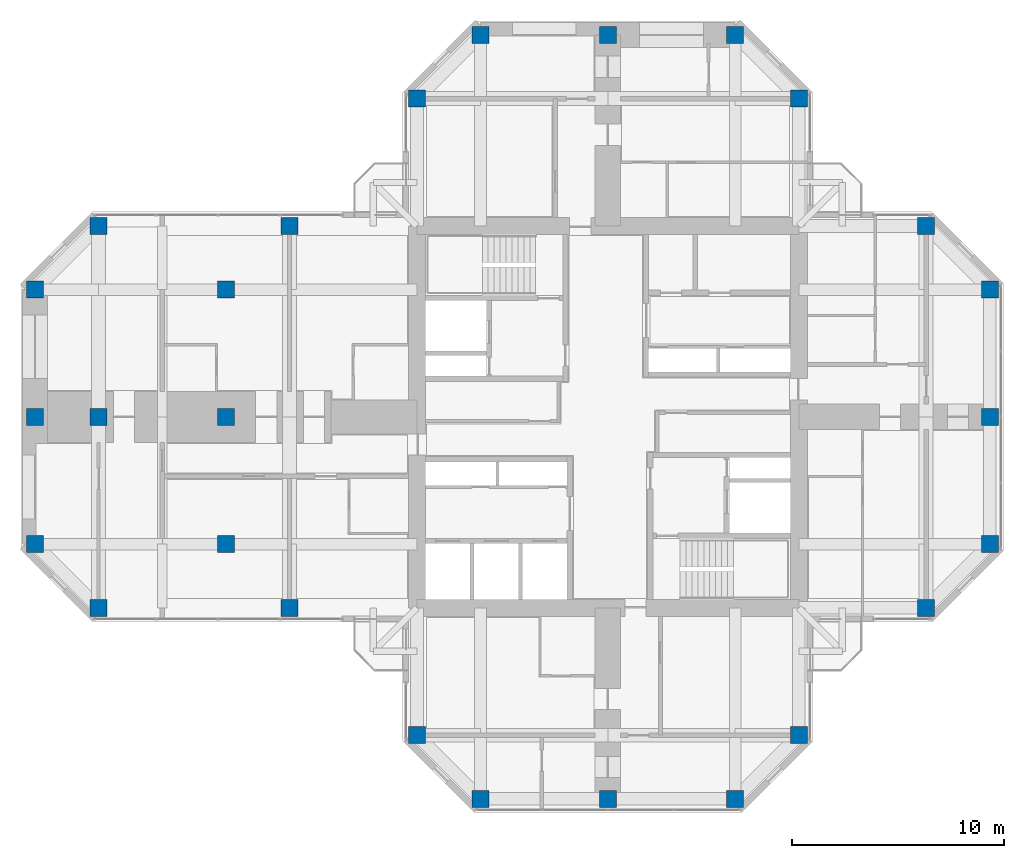
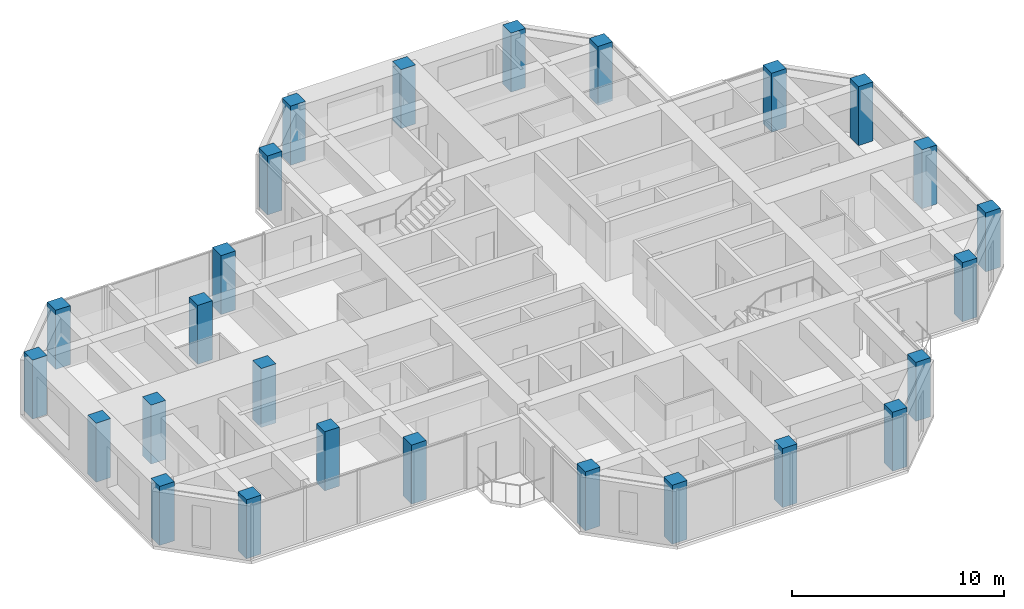
# One storey, part 1 of 13: 26 columns.
"""IFC4 building model written with IfcOpenShell, lengths in metres."""

import ifcopenshell
import ifcopenshell.guid

model = None  # the IFC model being written
_history = None  # IfcOwnerHistory: only IFC2X3 demands one
_inside = {}  # id of a spatial element -> (the spatial element, [elements in it])
_under = {}  # id of a project, library or spatial element -> (it, [spatial elements below it])
_declared = {}  # id of a project -> (the project, [libraries it declares])
_typed = {}  # id of a type object -> (the type object, [elements of that type])
_made_of = {}  # id of a material, layer set ... -> (it, [elements and type objects made of it])


def new_model(schema):
    """Start an empty IFC model of exactly this schema.

    Asked for "IFC4X3", IfcOpenShell would pick the latest addendum, in which some entities
    have other attributes; the version numbers below select the first issue.
    IFC2X3 requires an IfcOwnerHistory on every rooted entity: one is made here for all.
    """
    global model, _history
    if schema == "IFC4X3":
        model = ifcopenshell.file(schema_version=(4, 3, 0, 0))
    else:
        model = ifcopenshell.file(schema=schema)
    _inside.clear()
    _under.clear()
    _declared.clear()
    _typed.clear()
    _made_of.clear()
    _history = None
    if model.schema == "IFC2X3":
        org = make("IfcOrganization", Name="unknown")
        user = make(
            "IfcPersonAndOrganization",
            ThePerson=make("IfcPerson", FamilyName="unknown"),
            TheOrganization=org,
        )
        app = make(
            "IfcApplication",
            ApplicationDeveloper=org,
            Version="unknown",
            ApplicationFullName="unknown",
            ApplicationIdentifier="unknown",
        )
        _history = make(
            "IfcOwnerHistory",
            OwningUser=user,
            OwningApplication=app,
            ChangeAction="ADDED",
            CreationDate=0,
        )
    return model


def make(cls, **values):
    """One entity of the class cls with the attributes given. An attribute that is None is left unset."""
    return model.create_entity(
        cls, **{name: value for name, value in values.items() if value is not None}
    )


def rooted(cls, **values):
    """An entity with a GlobalId (a new one), such as an element, a storey or a relation."""
    return make(cls, GlobalId=ifcopenshell.guid.new(), OwnerHistory=_history, **values)


def si_unit(unit_type, name, prefix=None):
    """IfcSIUnit, for example si_unit("LENGTHUNIT", "METRE", prefix="MILLI")."""
    return make("IfcSIUnit", UnitType=unit_type, Prefix=prefix, Name=name)


def assignment(units):
    """IfcUnitAssignment: the units of a project."""
    return None if units is None else make("IfcUnitAssignment", Units=units)


def point(xyz):
    """IfcCartesianPoint."""
    return None if xyz is None else make("IfcCartesianPoint", Coordinates=xyz)


def direction(xyz):
    """IfcDirection."""
    return None if xyz is None else make("IfcDirection", DirectionRatios=xyz)


def frame(location, z_axis=None, x_axis=None):
    """IfcAxis2Placement3D, a coordinate frame: its origin and axes. An axis left out is left unset."""
    return make(
        "IfcAxis2Placement3D",
        Location=point(location),
        Axis=direction(z_axis),
        RefDirection=direction(x_axis),
    )


def frame_2d(location, x_axis=None):
    """IfcAxis2Placement2D, a coordinate frame in the plane: its origin and x axis."""
    return make(
        "IfcAxis2Placement2D", Location=point(location), RefDirection=direction(x_axis)
    )


def origin():
    """The frame at (0, 0, 0) with its axes left unset."""
    return frame((0.0, 0.0, 0.0))


def origin_2d():
    """The frame at (0, 0) in the plane with its x axis left unset."""
    return frame_2d((0.0, 0.0))


def place(relative_to, where):
    """IfcLocalPlacement: puts the frame where relative to a parent placement (None: the world)."""
    return make(
        "IfcLocalPlacement", PlacementRelTo=relative_to, RelativePlacement=where
    )


def context(
    kind, dimensions, precision=None, world=None, true_north=None, identifier=None
):
    """IfcGeometricRepresentationContext, for example the 3D "Model" context."""
    return make(
        "IfcGeometricRepresentationContext",
        ContextIdentifier=identifier,
        ContextType=kind,
        CoordinateSpaceDimension=dimensions,
        Precision=precision,
        WorldCoordinateSystem=world,
        TrueNorth=true_north,
    )


def subcontext(parent, identifier, kind, view, scale=None):
    """IfcGeometricRepresentationSubContext, for example "Body" below "Model"."""
    return make(
        "IfcGeometricRepresentationSubContext",
        ContextIdentifier=identifier,
        ContextType=kind,
        ParentContext=parent,
        TargetScale=scale,
        TargetView=view,
    )


def project(units=None, contexts=None):
    """IfcProject with its units and contexts."""
    return rooted(
        "IfcProject",
        Name="project",
        RepresentationContexts=contexts,
        UnitsInContext=assignment(units),
    )


def spatial(cls, under=None, at=None, **own):
    """A site, building, storey or space (cls), placed at a placement, below another one or the project."""
    s = rooted(cls, ObjectPlacement=at, **own)
    if under is not None:
        _under.setdefault(under.id(), (under, []))[1].append(s)
    return s


def profile(cls, at=None, kind="AREA", **sizes):
    """A parametric profile (cls). Its sizes go by their IFC names, for example OverallWidth=200.0."""
    return make(cls, ProfileType=kind, Position=at, **sizes)


def rectangle(**sizes):
    """IfcRectangleProfileDef."""
    return profile("IfcRectangleProfileDef", **sizes)


def extrude(swept, where, along, depth):
    """IfcExtrudedAreaSolid: the profile swept, set in the frame where, extruded along a direction by depth."""
    return make(
        "IfcExtrudedAreaSolid",
        SweptArea=swept,
        Position=where,
        ExtrudedDirection=direction(along),
        Depth=depth,
    )


def shape(context_of_items, identifier, shape_type, items):
    """IfcShapeRepresentation: the items that make up one representation, for example the "Body"."""
    return make(
        "IfcShapeRepresentation",
        ContextOfItems=context_of_items,
        RepresentationIdentifier=identifier,
        RepresentationType=shape_type,
        Items=items,
    )


def material(Name=None, Category=None):
    """IfcMaterial."""
    return make("IfcMaterial", Name=Name, Category=Category)


def material_profile(
    of_material, cross_section, Name=None, Category=None, Priority=None
):
    """IfcMaterialProfile: a cross section and its material."""
    return make(
        "IfcMaterialProfile",
        Name=Name,
        Material=of_material,
        Profile=cross_section,
        Priority=Priority,
        Category=Category,
    )


def profile_set(profiles, Name=None, composite=None):
    """IfcMaterialProfileSet."""
    return make(
        "IfcMaterialProfileSet",
        Name=Name,
        MaterialProfiles=profiles,
        CompositeProfile=composite,
    )


def made_of(thing, what):
    """Note that an element or type object is made of a material, layer set ...; save() writes the relation."""
    if what is not None:
        _made_of.setdefault(what.id(), (what, []))[1].append(thing)
    return thing


def type_object(cls, material=None, **own):
    """A type object (cls), such as IfcWallType, which elements share."""
    return made_of(rooted(cls, **own), material)


def element(
    cls,
    number,
    at=None,
    inside=None,
    cuts=None,
    type_object=None,
    material=None,
    context=None,
    identifier="Body",
    shape_type=None,
    held_by="IfcProductDefinitionShape",
    body=None,
    shapes=None,
    **own,
):
    """One element of the class cls, such as IfcWall. Its Tag is "e" and its number.

    at: its placement. inside: the storey or other place that contains it. cuts: it is an
    opening in that element (IfcRelVoidsElement). A single representation is given by context,
    identifier, shape_type and body (its items); several are given by shapes. held_by: the class
    of the entity that holds the representations. save() writes the other relations.
    """
    e = rooted(cls, Tag="e%d" % number, ObjectPlacement=at, **own)
    if body is not None:
        shapes = [shape(context, identifier, shape_type, body)]
    if shapes is not None:
        e.Representation = make(held_by, Representations=shapes)
    if inside is not None:
        _inside.setdefault(inside.id(), (inside, []))[1].append(e)
    if cuts is not None:
        rooted(
            "IfcRelVoidsElement", RelatingBuildingElement=cuts, RelatedOpeningElement=e
        )
    if type_object is not None:
        _typed.setdefault(type_object.id(), (type_object, []))[1].append(e)
    return made_of(e, material)


def aggregate(whole, parts):
    """IfcRelAggregates: a whole, such as a stair, and the parts it consists of."""
    return rooted("IfcRelAggregates", RelatingObject=whole, RelatedObjects=parts)


def save(model, path):
    """Write the relations noted so far, then the file.

    IfcRelAggregates (storeys below a building ...), IfcRelContainedInSpatialStructure (elements
    in a storey), IfcRelDefinesByType, IfcRelAssociatesMaterial and IfcRelDeclares: one each for
    every whole, place, type object, material and project.
    """
    for whole, parts in _under.values():
        aggregate(whole, parts)
    for where, things in _inside.values():
        rooted(
            "IfcRelContainedInSpatialStructure",
            RelatedElements=things,
            RelatingStructure=where,
        )
    for kind, things in _typed.values():
        rooted("IfcRelDefinesByType", RelatedObjects=things, RelatingType=kind)
    for what, things in _made_of.values():
        rooted("IfcRelAssociatesMaterial", RelatedObjects=things, RelatingMaterial=what)
    for by, libraries in _declared.values():
        rooted("IfcRelDeclares", RelatingContext=by, RelatedDefinitions=libraries)
    model.write(path)


model = new_model("IFC4")

# Units and contexts
model_context = context("Model", 3, precision=1e-05, world=origin(), true_north=direction((0.0, 1.0)))
body_context = subcontext(model_context, "Body", "Model", "MODEL_VIEW")
ifc_project = project(units=[si_unit("LENGTHUNIT", "METRE"), si_unit("AREAUNIT", "SQUARE_METRE"), si_unit("VOLUMEUNIT", "CUBIC_METRE"), si_unit("PLANEANGLEUNIT", "RADIAN"), si_unit("MASSUNIT", "GRAM", prefix="KILO")], contexts=[model_context])

# Site, building, storey
site_placement = place(None, origin())
site = spatial("IfcSite", under=ifc_project, at=site_placement, CompositionType="ELEMENT")
building_placement = place(site_placement, origin())
building = spatial("IfcBuilding", under=site, at=building_placement, Name="Torre Cruceta", CompositionType="ELEMENT")
storey_placement = place(building_placement, frame((0.0, 0.0, 249.300048828125)))
storey = spatial("IfcBuildingStorey", under=building, at=storey_placement, Name="L64", CompositionType="ELEMENT", Elevation=249.300048828125)

# Columns
ifc_material = material(Name="Concrete G60 (fck 60 MPa)", Category="concrete")
ifc_material_profile = material_profile(ifc_material, rectangle(XDim=0.800048828125, YDim=0.800048828125, at=origin_2d()), Name="RC 800X800")
ifc_profile_set = profile_set([ifc_material_profile], Name="Concrete G60 (fck 60 MPa)")
column_type = type_object("IfcColumnType", Name="COLUMN RC 800X800", PredefinedType="COLUMN", material=ifc_profile_set)
for number, where, z_axis, x_axis, name in (
    (1, (9.0, 15.0, 0.0), (0.0, 0.0, 1.0), (1.0, 0.0, 0.0), "C7 L64 N chamfer"),
    (2, (-9.0, 15.0, 0.0), (0.0, 0.0, 1.0), (1.0, 0.0, 0.0), "C7 L64 N chamfer"),
    (3, (6.0, 18.0, 0.0), (0.0, 0.0, 1.0), (1.0, 0.0, 0.0), "C7 L64 N tip"),
    (4, (0.0, 18.0, 0.0), (0.0, 0.0, 1.0), (1.0, 0.0, 0.0), "C7 L64 N tip"),
    (5, (-6.0, 18.0, 0.0), (0.0, 0.0, 1.0), (1.0, 0.0, 0.0), "C7 L64 N tip"),
    (6, (15.0, -9.0, 0.0), (0.0, 0.0, 1.0), (1.0, 0.0, 0.0), "C7 L64 E chamfer"),
    (7, (15.0, 9.0, 0.0), (0.0, 0.0, 1.0), (1.0, 0.0, 0.0), "C7 L64 E chamfer"),
    (8, (18.0, -6.0, 0.0), (0.0, 0.0, 1.0), (1.0, 0.0, 0.0), "C7 L64 E tip"),
    (9, (18.0, 0.0, 0.0), (0.0, 0.0, 1.0), (1.0, 0.0, 0.0), "C7 L64 E tip"),
    (10, (18.0, 6.0, 0.0), (0.0, 0.0, 1.0), (1.0, 0.0, 0.0), "C7 L64 E tip"),
    (11, (-9.0, -15.0, 0.0), (0.0, 0.0, 1.0), (1.0, 0.0, 0.0), "C7 L64 S chamfer"),
    (12, (9.0, -15.0, 0.0), (0.0, 0.0, 1.0), (1.0, 0.0, 0.0), "C7 L64 S chamfer"),
    (13, (-6.0, -18.0, 0.0), (0.0, 0.0, 1.0), (1.0, 0.0, 0.0), "C7 L64 S tip"),
    (14, (0.0, -18.0, 0.0), (0.0, 0.0, 1.0), (1.0, 0.0, 0.0), "C7 L64 S tip"),
    (15, (6.0, -18.0, 0.0), (0.0, 0.0, 1.0), (1.0, 0.0, 0.0), "C7 L64 S tip"),
    (16, (-15.0, 9.0, 0.0), (0.0, 0.0, 1.0), (1.0, 0.0, 0.0), "C7 L64 W side"),
    (17, (-24.0, 9.0, 0.0), (0.0, 0.0, 1.0), (1.0, 0.0, 0.0), "C7 L64 W chamfer"),
    (18, (-15.0, -9.0, 0.0), (0.0, 0.0, 1.0), (1.0, 0.0, 0.0), "C7 L64 W side"),
    (19, (-24.0, -9.0, 0.0), (0.0, 0.0, 1.0), (1.0, 0.0, 0.0), "C7 L64 W chamfer"),
    (20, (-27.0, 6.0, 0.0), (0.0, 0.0, 1.0), (1.0, 0.0, 0.0), "C7 L64 W tip"),
    (21, (-27.0, 0.0, 0.0), (0.0, 0.0, 1.0), (1.0, 0.0, 0.0), "C7 L64 W tip"),
    (22, (-27.0, -6.0, 0.0), (0.0, 0.0, 1.0), (1.0, 0.0, 0.0), "C7 L64 W tip"),
    (23, (-18.0, 6.0, 0.0), (0.0, 0.0, 1.0), (1.0, 0.0, 0.0), "C7 L64 W interior"),
    (24, (-18.0, 0.0, 0.0), (0.0, 0.0, 1.0), (1.0, 0.0, 0.0), "C7 L64 W interior"),
    (25, (-18.0, -6.0, 0.0), (0.0, 0.0, 1.0), (1.0, 0.0, 0.0), "C7 L64 W interior"),
    (26, (-24.0, 0.0, 0.0), (0.0, 0.0, 1.0), (1.0, 0.0, 0.0), "C7 L64 W interior"),
):
    element("IfcColumn", number, at=place(storey_placement, frame(where, z_axis=z_axis, x_axis=x_axis)), inside=storey, type_object=column_type, Name=name, PredefinedType="COLUMN", context=body_context, shape_type="SweptSolid", body=[
        extrude(rectangle(XDim=0.800048828125, YDim=0.800048828125, at=origin_2d()), origin(), (0.0, 0.0, 1.0), 3.39990234375),
    ])

save(model, "model.ifc")
